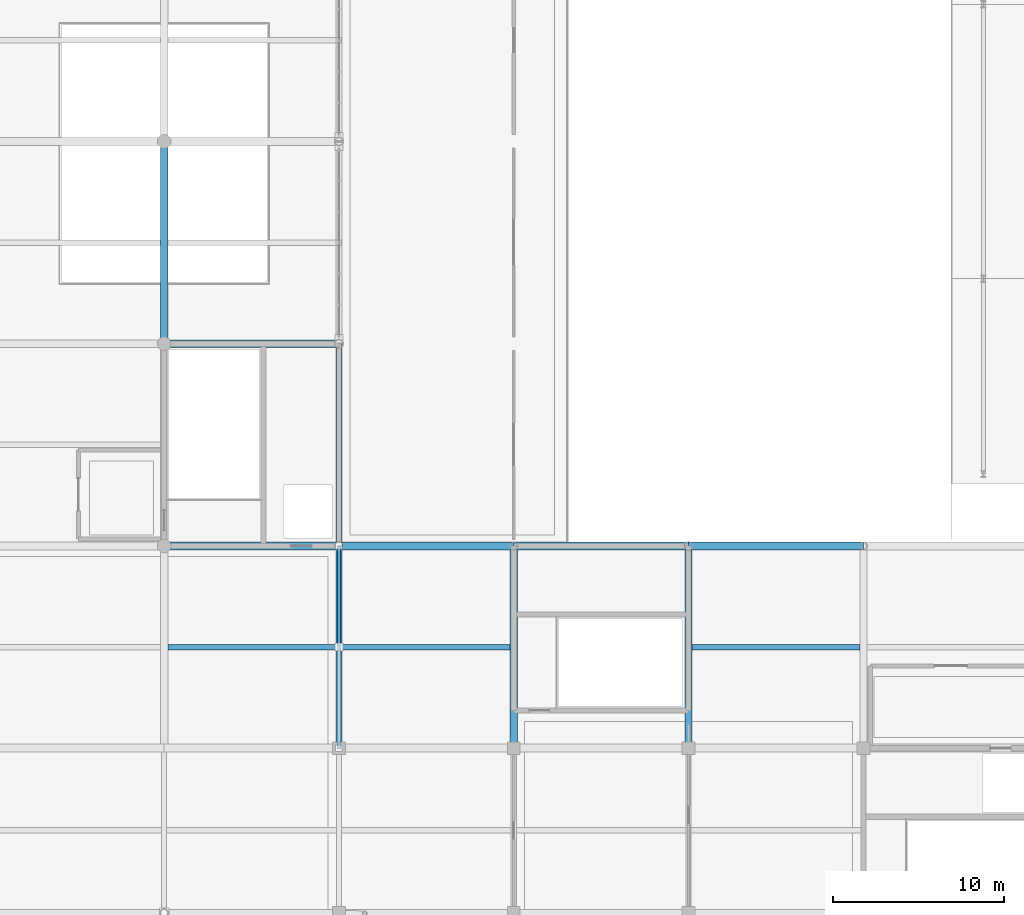
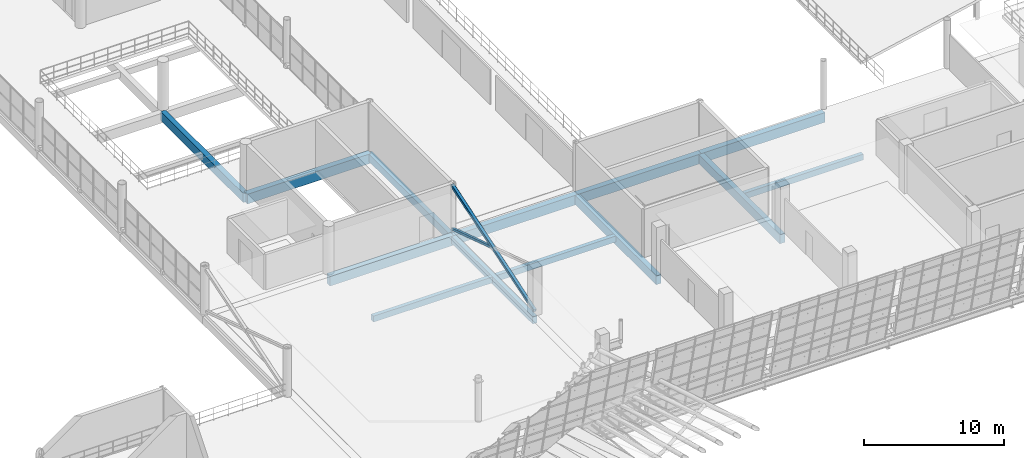
# One storey, part 59 of 157: 13 beams, 2 members.
"""IFC4 building model written with IfcOpenShell, lengths in metres."""

from ifc_helpers import new_model, si_unit, direction, frame, origin, origin_2d, place, context, subcontext, project, spatial, rectangle, hollow_rectangle, extrude, material, material_profile, profile_set, type_object, element, save


model = new_model("IFC4")

# Units and contexts
model_context = context("Model", 3, precision=1e-05, world=origin(), true_north=direction((0.0, 1.0)))
body_context = subcontext(model_context, "Body", "Model", "MODEL_VIEW")
ifc_project = project(units=[si_unit("LENGTHUNIT", "METRE"), si_unit("AREAUNIT", "SQUARE_METRE"), si_unit("VOLUMEUNIT", "CUBIC_METRE"), si_unit("PLANEANGLEUNIT", "RADIAN"), si_unit("MASSUNIT", "GRAM", prefix="KILO")], contexts=[model_context])

# Site, building, storey
site_placement = place(None, origin())
site = spatial("IfcSite", under=ifc_project, at=site_placement, CompositionType="ELEMENT")
building_placement = place(site_placement, origin())
building = spatial("IfcBuilding", under=site, at=building_placement, Name="Brelvane Convention Centre", CompositionType="ELEMENT")
storey_placement = place(building_placement, frame((0.0, 0.0, 10.800048828125)))
storey = spatial("IfcBuildingStorey", under=building, at=storey_placement, Name="L02", CompositionType="ELEMENT", Elevation=10.800048828125)

# Beams
ifc_material_1 = material(Name="Concrete M40", Category="concrete")
ifc_material_profile_1 = material_profile(ifc_material_1, rectangle(XDim=0.4599609375, YDim=0.840087890625, at=origin_2d()), Name="RC 460x840")
ifc_profile_set_1 = profile_set([ifc_material_profile_1], Name="Concrete M40")
beam_type_1 = type_object("IfcBeamType", Name="RC Beam B-RC11 (RC 460x840)", PredefinedType="BEAM", material=ifc_profile_set_1)
for number, where, z_axis, x_axis, name in (
    (1, (153.0, 40.60009765625, -0.699951171875), (1.0, 0.0, 0.0), (0.0, 1.0, 0.0), "L02 Beam 16-17/E"),
    (2, (153.0, 52.39990234375, -0.699951171875), (1.0, 0.0, 0.0), (0.0, 1.0, 0.0), "L02 Beam 16-17/F"),
    (3, (163.199951171875, 40.60009765625, -0.699951171875), (1.0, 0.0, 0.0), (0.0, 1.0, 0.0), "L02 Beam 17-18/E"),
):
    element("IfcBeam", number, at=place(storey_placement, frame(where, z_axis=z_axis, x_axis=x_axis)), inside=storey, type_object=beam_type_1, Name=name, PredefinedType="BEAM", context=body_context, shape_type="SweptSolid", body=[
        extrude(rectangle(XDim=0.4599609375, YDim=0.840087890625, at=origin_2d()), origin(), (0.0, 0.0, 1.0), 10.199951171875),
    ])
beam_1_placement = place(storey_placement, frame((173.39990234375, 40.60009765625, -0.699951171875), z_axis=(1.0, 0.0, 0.0), x_axis=(0.0, 1.0, 0.0)))
element("IfcBeam", 4, at=beam_1_placement, inside=storey, type_object=beam_type_1, Name="L02 Beam 18-19/E", PredefinedType="BEAM", context=body_context, shape_type="SweptSolid", body=[
    extrude(rectangle(XDim=0.4599609375, YDim=0.840087890625, at=origin_2d()), origin(), (0.0, 0.0, 1.0), 10.2001953125),
])
beam_2_placement = place(storey_placement, frame((183.60009765625, 40.60009765625, -0.699951171875), z_axis=(1.0, 0.0, 0.0), x_axis=(0.0, 1.0, 0.0)))
element("IfcBeam", 5, at=beam_2_placement, inside=storey, type_object=beam_type_1, Name="L02 Beam 19-20/E", PredefinedType="BEAM", context=body_context, shape_type="SweptSolid", body=[
    extrude(rectangle(XDim=0.4599609375, YDim=0.840087890625, at=origin_2d()), origin(), (0.0, 0.0, 1.0), 10.199951171875),
])
ifc_material_2 = material(Name="Concrete M40", Category="concrete")
ifc_material_profile_2 = material_profile(ifc_material_2, rectangle(XDim=0.419921875, YDim=0.780029296875, at=origin_2d()), Name="RC 420x780")
ifc_profile_set_2 = profile_set([ifc_material_profile_2], Name="Concrete M40")
beam_type_2 = type_object("IfcBeamType", Name="RC Beam B-RC12 (RC 420x780)", PredefinedType="BEAM", material=ifc_profile_set_2)
for number, where, z_axis, x_axis, name in (
    (6, (153.0, 52.39990234375, -0.670166015625), (0.0, 1.0, 0.0), (-1.0, 0.0, 0.0), "L02 Girder 16/F-G"),
    (7, (173.39990234375, 28.800048828125, -0.670166015625), (0.0, 1.0, 0.0), (-1.0, 0.0, 0.0), "L02 Girder 18/D-E"),
    (8, (183.60009765625, 28.800048828125, -0.670166015625), (0.0, 1.0, 0.0), (-1.0, 0.0, 0.0), "L02 Girder 19/D-E"),
):
    element("IfcBeam", number, at=place(storey_placement, frame(where, z_axis=z_axis, x_axis=x_axis)), inside=storey, type_object=beam_type_2, Name=name, PredefinedType="BEAM", context=body_context, shape_type="SweptSolid", body=[
        extrude(rectangle(XDim=0.419921875, YDim=0.780029296875, at=origin_2d()), origin(), (0.0, 0.0, 1.0), 11.800048828125),
    ])
ifc_material_3 = material(Name="Concrete M40", Category="concrete")
ifc_material_profile_3 = material_profile(ifc_material_3, rectangle(XDim=0.320068359375, YDim=0.52001953125, at=origin_2d()), Name="RC 320x520")
ifc_profile_set_3 = profile_set([ifc_material_profile_3], Name="Concrete M40")
beam_type_3 = type_object("IfcBeamType", Name="RC Joist J-RC4 (RC 320x520)", PredefinedType="JOIST", material=ifc_profile_set_3)
for number, where, z_axis, x_axis, name in (
    (9, (153.2099609375, 34.699951171875, -0.5400390625), (1.0, 0.0, 0.0), (0.0, 1.0, 0.0), "L02 Secondary Joist 16-17/DE"),
    (10, (163.3798828125, 34.699951171875, -0.5400390625), (1.0, 0.0, 0.0), (0.0, 1.0, 0.0), "L02 Secondary Joist 17-18/DE"),
):
    element("IfcBeam", number, at=place(storey_placement, frame(where, z_axis=z_axis, x_axis=x_axis)), inside=storey, type_object=beam_type_3, Name=name, PredefinedType="JOIST", context=body_context, shape_type="SweptSolid", body=[
        extrude(rectangle(XDim=0.320068359375, YDim=0.52001953125, at=origin_2d()), origin(), (0.0, 0.0, 1.0), 9.81005859375),
    ])
beam_3_placement = place(storey_placement, frame((183.81005859375, 34.699951171875, -0.5400390625), z_axis=(1.0, 0.0, 0.0), x_axis=(0.0, 1.0, 0.0)))
element("IfcBeam", 11, at=beam_3_placement, inside=storey, type_object=beam_type_3, Name="L02 Secondary Joist 19-20/DE", PredefinedType="JOIST", context=body_context, shape_type="SweptSolid", body=[
    extrude(rectangle(XDim=0.320068359375, YDim=0.52001953125, at=origin_2d()), origin(), (0.0, 0.0, 1.0), 9.780029296875),
])
ifc_material_4 = material(Name="Concrete M40", Category="concrete")
ifc_material_profile_4 = material_profile(ifc_material_4, rectangle(XDim=0.360107421875, YDim=0.639892578125, at=origin_2d()), Name="RC 360x640")
ifc_profile_set_4 = profile_set([ifc_material_profile_4], Name="Concrete M40")
beam_type_4 = type_object("IfcBeamType", Name="RC Spandrel SP-RC3 (RC 360x640)", PredefinedType="SPANDREL", material=ifc_profile_set_4)
beam_4_placement = place(storey_placement, frame((163.199951171875, 28.800048828125, -0.60009765625), z_axis=(0.0, 1.0, 0.0), x_axis=(-1.0, 0.0, 0.0)))
element("IfcBeam", 12, at=beam_4_placement, inside=storey, type_object=beam_type_4, Name="L02 Girder 17/D-E", PredefinedType="SPANDREL", context=body_context, shape_type="SweptSolid", body=[
    extrude(rectangle(XDim=0.360107421875, YDim=0.639892578125, at=origin_2d()), origin(), (0.0, 0.0, 1.0), 11.800048828125),
])
beam_5_placement = place(storey_placement, frame((163.199951171875, 40.60009765625, -0.60009765625), z_axis=(0.0, 1.0, 0.0), x_axis=(-1.0, 0.0, 0.0)))
element("IfcBeam", 13, at=beam_5_placement, inside=storey, type_object=beam_type_4, Name="L02 Girder 17/E-F", PredefinedType="SPANDREL", context=body_context, shape_type="SweptSolid", body=[
    extrude(rectangle(XDim=0.360107421875, YDim=0.639892578125, at=origin_2d()), origin(), (0.0, 0.0, 1.0), 11.7998046875),
])

# Members
ifc_material_5 = material(Name="Steel E350 (350 MPa)", Category="steel")
ifc_material_profile_5 = material_profile(ifc_material_5, hollow_rectangle(XDim=0.25, YDim=0.25, WallThickness=0.012451171875, InnerFilletRadius=0.012451171875, OuterFilletRadius=0.02490234375, at=origin_2d()), Name="SHS 250x250x12.5")
ifc_profile_set_5 = profile_set([ifc_material_profile_5], Name="Steel E350 (350 MPa)")
member_type_1 = type_object("IfcMemberType", Name="Steel Brace BR-ST2 (SHS 250x250x12.5)", PredefinedType="BRACE", material=ifc_profile_set_5)
member_1_placement = place(storey_placement, frame((163.199951171875, 28.800048828125, 0.199951171875), z_axis=(0.0, 0.951859778714, 0.306533785523), x_axis=(-1.0, 0.0, 0.0)))
element("IfcMember", 14, at=member_1_placement, inside=storey, type_object=member_type_1, Name="Lateral X-Brace Continuous V2W-1-L02-A", PredefinedType="BRACE", context=body_context, shape_type="SweptSolid", body=[
    extrude(hollow_rectangle(XDim=0.25, YDim=0.25, WallThickness=0.012451171875, InnerFilletRadius=0.012451171875, OuterFilletRadius=0.02490234375, at=origin_2d()), origin(), (0.0, 0.0, 1.0), 12.396728515625),
])
ifc_material_6 = material(Name="Steel E350 (350 MPa)", Category="steel")
ifc_material_profile_6 = material_profile(ifc_material_6, hollow_rectangle(XDim=0.199951171875, YDim=0.199951171875, WallThickness=0.010009765625, InnerFilletRadius=0.010009765625, OuterFilletRadius=0.02001953125, at=origin_2d()), Name="SHS 200x200x10.0")
ifc_profile_set_6 = profile_set([ifc_material_profile_6], Name="Steel E350 (350 MPa)")
member_type_2 = type_object("IfcMemberType", Name="Steel Brace BR-ST3 (SHS 200x200x10.0)", PredefinedType="BRACE", material=ifc_profile_set_6)
member_2_placement = place(storey_placement, frame((163.199951171875, 40.60009765625, 0.199951171875), z_axis=(0.0, -0.951867375009, 0.306510196231), x_axis=(1.0, 0.0, 0.0)))
element("IfcMember", 15, at=member_2_placement, inside=storey, type_object=member_type_2, Name="Lateral X-Brace Split Lower V2W-1-L02-B1", PredefinedType="BRACE", context=body_context, shape_type="SweptSolid", body=[
    extrude(hollow_rectangle(XDim=0.199951171875, YDim=0.199951171875, WallThickness=0.010009765625, InnerFilletRadius=0.010009765625, OuterFilletRadius=0.02001953125, at=origin_2d()), origin(), (0.0, 0.0, 1.0), 6.198486328125),
])

save(model, "model.ifc")
